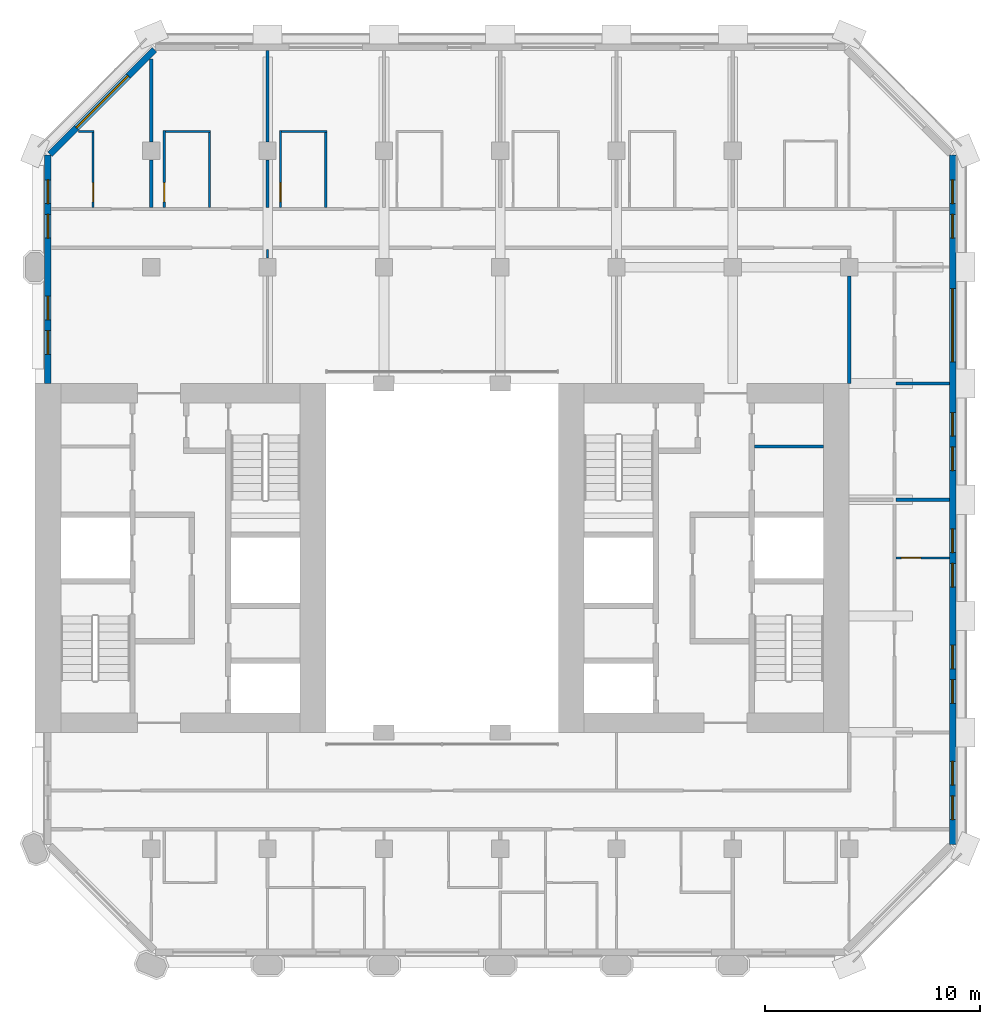
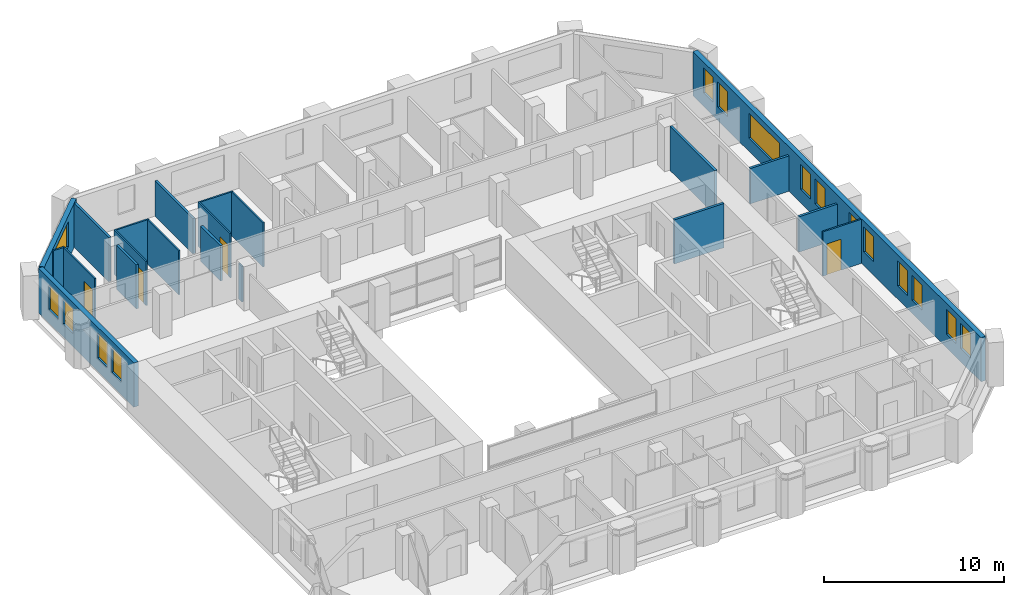
# One storey, part 7 of 12: 21 walls, 16 windows, 4 doors, 20 openings.
"""IFC4 building model written with IfcOpenShell, lengths in metres."""

from ifc_helpers import new_model, si_unit, direction, frame, frame_2d, origin, place, context, subcontext, project, spatial, rectangle, extrude, material, layer, layer_set, type_object, element, fill, save


model = new_model("IFC4")

# Units and contexts
model_context = context("Model", 3, precision=1e-05, world=origin(), true_north=direction((0.0, 1.0)))
body_context = subcontext(model_context, "Body", "Model", "MODEL_VIEW")
ifc_project = project(units=[si_unit("LENGTHUNIT", "METRE"), si_unit("AREAUNIT", "SQUARE_METRE"), si_unit("VOLUMEUNIT", "CUBIC_METRE"), si_unit("PLANEANGLEUNIT", "RADIAN"), si_unit("MASSUNIT", "GRAM", prefix="KILO")], contexts=[model_context])

# Site, building, storey
site_placement = place(None, origin())
site = spatial("IfcSite", under=ifc_project, at=site_placement, CompositionType="ELEMENT")
building_placement = place(site_placement, origin())
building = spatial("IfcBuilding", under=site, at=building_placement, Name="Tabaq Tower and Sports Hall", CompositionType="ELEMENT")
storey_placement = place(building_placement, frame((0.0, 0.0, 187.300048828125)))
storey = spatial("IfcBuildingStorey", under=building, at=storey_placement, Name="L45", CompositionType="ELEMENT", Elevation=187.300048828125)

# Walls
ifc_material_1 = material(Name="Blockwork", Category="masonry")
ifc_layer_1 = layer(ifc_material_1, 0.14990234375)
ifc_layer_set_1 = layer_set([ifc_layer_1], Name="Core room partition 150 Blockwork")
wall_type_1 = type_object("IfcWallType", Name="Core room partition 150 Blockwork", PredefinedType="PARTITIONING", material=ifc_layer_set_1)
wall_1_placement = place(storey_placement, frame((38.800048828125, 29.469970703125, 0.0), z_axis=(0.0, 0.0, 1.0), x_axis=(1.0, 0.0, 0.0)))
element("IfcWall", 1, at=wall_1_placement, inside=storey, type_object=wall_type_1, Name="Core room partition E L45", PredefinedType="PARTITIONING", context=body_context, shape_type="SweptSolid", body=[
    extrude(rectangle(XDim=3.199951171875, YDim=0.14990234375, at=frame_2d((1.60009765625, 0.0))), origin(), (0.0, 0.0, 1.0), 3.0),
])
ifc_material_2 = material(Name="Gypsum board on steel studs", Category="steel")
ifc_layer_2 = layer(ifc_material_2, 0.10009765625)
ifc_layer_set_2 = layer_set([ifc_layer_2], Name="Partition 100 Gypsum board")
wall_type_2 = type_object("IfcWallType", Name="Partition 100 Gypsum board", PredefinedType="PARTITIONING", material=ifc_layer_set_2)
wall_2_placement = place(storey_placement, frame((7.412109375, 44.10009765625, 0.0), z_axis=(0.0, 0.0, 1.0), x_axis=(1.0, 0.0, 0.0)))
element("IfcWall", 2, at=wall_2_placement, inside=storey, type_object=wall_type_2, Name="Partition wall L45", PredefinedType="PARTITIONING", context=body_context, shape_type="SweptSolid", body=[
    extrude(rectangle(XDim=0.73779296875, YDim=0.10009765625, at=frame_2d((0.368896484375, 0.0))), origin(), (0.0, 0.0, 1.0), 3.0),
])

# Wall, opening, door
wall_3_placement = place(storey_placement, frame((8.10009765625, 44.050048828125, 0.0), z_axis=(0.0, 0.0, 1.0), x_axis=(0.0, -1.0, 0.0)))
wall_3 = element("IfcWall", 3, at=wall_3_placement, inside=storey, type_object=wall_type_2, Name="Partition wall L45", PredefinedType="PARTITIONING", context=body_context, shape_type="SweptSolid", body=[
    extrude(rectangle(XDim=3.47509765625, YDim=0.10009765625, at=frame_2d((1.737548828125, 0.0))), origin(), (0.0, 0.0, 1.0), 3.0),
])
opening_1_placement = place(wall_3_placement, frame((2.324951171875, 0.0, 0.0)))
opening_1 = element("IfcOpeningElement", 4, at=opening_1_placement, cuts=wall_3, Name="Opening L45-002", PredefinedType="OPENING", context=body_context, shape_type="SweptSolid", body=[
    extrude(rectangle(XDim=0.89990234375, YDim=2.10009765625, at=frame_2d((0.449951171875, 1.050048828125))), frame((0.0, 0.050048828125, 0.0), z_axis=(0.0, -1.0, 0.0), x_axis=(1.0, 0.0, 0.0)), (0.0, 0.0, 1.0), 0.10009765625),
])
ifc_material_3 = material(Name="Timber leaf in steel frame", Category="steel")
door_type_1 = type_object("IfcDoorType", Name="Internal door 900 right hand", OperationType="SINGLE_SWING_RIGHT", PredefinedType="DOOR", material=ifc_material_3)
door_1_placement = place(opening_1_placement, origin())
door_1 = element("IfcDoor", 5, at=door_1_placement, inside=storey, type_object=door_type_1, Name="Internal door L45-002", OperationType="SINGLE_SWING_RIGHT", OverallHeight=2.10009765625, OverallWidth=0.89990234375, PredefinedType="DOOR", context=body_context, shape_type="SweptSolid", body=[
    extrude(rectangle(XDim=0.89990234375, YDim=2.10009765625, at=frame_2d((0.449951171875, 1.050048828125))), frame((0.0, 0.02490234375, 0.0), z_axis=(0.0, -1.0, 0.0), x_axis=(1.0, 0.0, 0.0)), (0.0, 0.0, 1.0), 0.050048828125),
])
fill(opening_1, door_1)

wall_4_placement = place(storey_placement, frame((11.39990234375, 40.574951171875, 0.0), z_axis=(0.0, 0.0, 1.0), x_axis=(0.0, 1.0, 0.0)))
wall_4 = element("IfcWall", 6, at=wall_4_placement, inside=storey, type_object=wall_type_2, Name="Partition wall L45", PredefinedType="PARTITIONING", context=body_context, shape_type="SweptSolid", body=[
    extrude(rectangle(XDim=3.574951171875, YDim=0.10009765625, at=frame_2d((1.78759765625, 0.0))), origin(), (0.0, 0.0, 1.0), 3.0),
])
opening_2_placement = place(wall_4_placement, frame((0.25, 0.0, 0.0)))
opening_2 = element("IfcOpeningElement", 7, at=opening_2_placement, cuts=wall_4, Name="Opening L45-003", PredefinedType="OPENING", context=body_context, shape_type="SweptSolid", body=[
    extrude(rectangle(XDim=0.89990234375, YDim=2.10009765625, at=frame_2d((0.449951171875, 1.050048828125))), frame((0.0, 0.050048828125, 0.0), z_axis=(0.0, -1.0, 0.0), x_axis=(1.0, 0.0, 0.0)), (0.0, 0.0, 1.0), 0.10009765625),
])
door_2_placement = place(opening_2_placement, origin())
door_2 = element("IfcDoor", 8, at=door_2_placement, inside=storey, type_object=door_type_1, Name="Internal door L45-003", OperationType="SINGLE_SWING_RIGHT", OverallHeight=2.10009765625, OverallWidth=0.89990234375, PredefinedType="DOOR", context=body_context, shape_type="SweptSolid", body=[
    extrude(rectangle(XDim=0.89990234375, YDim=2.10009765625, at=frame_2d((0.449951171875, 1.050048828125))), frame((0.0, 0.02490234375, 0.0), z_axis=(0.0, -1.0, 0.0), x_axis=(1.0, 0.0, 0.0)), (0.0, 0.0, 1.0), 0.050048828125),
])
fill(opening_2, door_2)

# Walls
wall_5_placement = place(storey_placement, frame((11.449951171875, 44.10009765625, 0.0), z_axis=(0.0, 0.0, 1.0), x_axis=(1.0, 0.0, 0.0)))
element("IfcWall", 9, at=wall_5_placement, inside=storey, type_object=wall_type_2, Name="Partition wall L45", PredefinedType="PARTITIONING", context=body_context, shape_type="SweptSolid", body=[
    extrude(rectangle(XDim=2.10009765625, YDim=0.10009765625, at=frame_2d((1.050048828125, 0.0))), origin(), (0.0, 0.0, 1.0), 3.0),
])
wall_6_placement = place(storey_placement, frame((13.5, 44.050048828125, 0.0), z_axis=(0.0, 0.0, 1.0), x_axis=(0.0, -1.0, 0.0)))
element("IfcWall", 10, at=wall_6_placement, inside=storey, type_object=wall_type_2, Name="Partition wall L45", PredefinedType="PARTITIONING", context=body_context, shape_type="SweptSolid", body=[
    extrude(rectangle(XDim=3.47509765625, YDim=0.10009765625, at=frame_2d((1.737548828125, 0.0))), origin(), (0.0, 0.0, 1.0), 3.0),
])

# Wall, opening, door
wall_7_placement = place(storey_placement, frame((16.800048828125, 40.574951171875, 0.0), z_axis=(0.0, 0.0, 1.0), x_axis=(0.0, 1.0, 0.0)))
wall_7 = element("IfcWall", 11, at=wall_7_placement, inside=storey, type_object=wall_type_2, Name="Partition wall L45", PredefinedType="PARTITIONING", context=body_context, shape_type="SweptSolid", body=[
    extrude(rectangle(XDim=3.574951171875, YDim=0.10009765625, at=frame_2d((1.78759765625, 0.0))), origin(), (0.0, 0.0, 1.0), 3.0),
])
opening_3_placement = place(wall_7_placement, frame((0.25, 0.0, 0.0)))
opening_3 = element("IfcOpeningElement", 12, at=opening_3_placement, cuts=wall_7, Name="Opening L45-004", PredefinedType="OPENING", context=body_context, shape_type="SweptSolid", body=[
    extrude(rectangle(XDim=0.89990234375, YDim=2.10009765625, at=frame_2d((0.449951171875, 1.050048828125))), frame((0.0, 0.050048828125, 0.0), z_axis=(0.0, -1.0, 0.0), x_axis=(1.0, 0.0, 0.0)), (0.0, 0.0, 1.0), 0.10009765625),
])
ifc_material_4 = material(Name="Timber leaf in steel frame", Category="steel")
door_type_2 = type_object("IfcDoorType", Name="Internal door 900 left hand", OperationType="SINGLE_SWING_LEFT", PredefinedType="DOOR", material=ifc_material_4)
door_3_placement = place(opening_3_placement, origin())
door_3 = element("IfcDoor", 13, at=door_3_placement, inside=storey, type_object=door_type_2, Name="Internal door L45-004", OperationType="SINGLE_SWING_LEFT", OverallHeight=2.10009765625, OverallWidth=0.89990234375, PredefinedType="DOOR", context=body_context, shape_type="SweptSolid", body=[
    extrude(rectangle(XDim=0.89990234375, YDim=2.10009765625, at=frame_2d((0.449951171875, 1.050048828125))), frame((0.0, 0.02490234375, 0.0), z_axis=(0.0, -1.0, 0.0), x_axis=(1.0, 0.0, 0.0)), (0.0, 0.0, 1.0), 0.050048828125),
])
fill(opening_3, door_3)

# Walls
wall_8_placement = place(storey_placement, frame((16.85009765625, 44.10009765625, 0.0), z_axis=(0.0, 0.0, 1.0), x_axis=(1.0, 0.0, 0.0)))
element("IfcWall", 14, at=wall_8_placement, inside=storey, type_object=wall_type_2, Name="Partition wall L45", PredefinedType="PARTITIONING", context=body_context, shape_type="SweptSolid", body=[
    extrude(rectangle(XDim=2.099853515625, YDim=0.10009765625, at=frame_2d((1.0498046875, 0.0))), origin(), (0.0, 0.0, 1.0), 3.0),
])
wall_9_placement = place(storey_placement, frame((18.89990234375, 44.050048828125, 0.0), z_axis=(0.0, 0.0, 1.0), x_axis=(0.0, -1.0, 0.0)))
element("IfcWall", 15, at=wall_9_placement, inside=storey, type_object=wall_type_2, Name="Partition wall L45", PredefinedType="PARTITIONING", context=body_context, shape_type="SweptSolid", body=[
    extrude(rectangle(XDim=3.47509765625, YDim=0.10009765625, at=frame_2d((1.737548828125, 0.0))), origin(), (0.0, 0.0, 1.0), 3.0),
])
wall_10_placement = place(storey_placement, frame((16.199951171875, 38.625, 0.0), z_axis=(0.0, 0.0, 1.0), x_axis=(0.0, -1.0, 0.0)))
element("IfcWall", 16, at=wall_10_placement, inside=storey, type_object=wall_type_2, Name="Partition wall L45", PredefinedType="PARTITIONING", context=body_context, shape_type="SweptSolid", body=[
    extrude(rectangle(XDim=0.405029296875, YDim=0.10009765625, at=frame_2d((0.20263671875, 0.0))), origin(), (0.0, 0.0, 1.0), 2.39990234375),
])

# Wall, opening, door
wall_11_placement = place(storey_placement, frame((47.84912109375, 24.300048828125, 0.0), z_axis=(0.0, 0.0, 1.0), x_axis=(-1.0, 0.0, 0.0)))
wall_11 = element("IfcWall", 17, at=wall_11_placement, inside=storey, type_object=wall_type_2, Name="Partition wall L45", PredefinedType="PARTITIONING", context=body_context, shape_type="SweptSolid", body=[
    extrude(rectangle(XDim=2.47412109375, YDim=0.10009765625, at=frame_2d((1.237060546875, 0.0))), origin(), (0.0, 0.0, 1.0), 3.0),
])
opening_4_placement = place(wall_11_placement, frame((1.323974609375, 0.0, 0.0)))
opening_4 = element("IfcOpeningElement", 18, at=opening_4_placement, cuts=wall_11, Name="Opening L45-021", PredefinedType="OPENING", context=body_context, shape_type="SweptSolid", body=[
    extrude(rectangle(XDim=0.89990234375, YDim=2.10009765625, at=frame_2d((0.449951171875, 1.050048828125))), frame((0.0, 0.050048828125, 0.0), z_axis=(0.0, -1.0, 0.0), x_axis=(1.0, 0.0, 0.0)), (0.0, 0.0, 1.0), 0.10009765625),
])
door_4_placement = place(opening_4_placement, origin())
door_4 = element("IfcDoor", 19, at=door_4_placement, inside=storey, type_object=door_type_2, Name="Internal door L45-021", OperationType="SINGLE_SWING_LEFT", OverallHeight=2.10009765625, OverallWidth=0.89990234375, PredefinedType="DOOR", context=body_context, shape_type="SweptSolid", body=[
    extrude(rectangle(XDim=0.89990234375, YDim=2.10009765625, at=frame_2d((0.449951171875, 1.050048828125))), frame((0.0, 0.02490234375, 0.0), z_axis=(0.0, -1.0, 0.0), x_axis=(1.0, 0.0, 0.0)), (0.0, 0.0, 1.0), 0.050048828125),
])
fill(opening_4, door_4)

# Walls
ifc_material_5 = material(Name="Blockwork", Category="masonry")
ifc_layer_3 = layer(ifc_material_5, 0.14990234375)
ifc_layer_set_3 = layer_set([ifc_layer_3], Name="Separating wall 150 Blockwork")
wall_type_3 = type_object("IfcWallType", Name="Separating wall 150 Blockwork", PredefinedType="PARTITIONING", material=ifc_layer_set_3)
wall_12_placement = place(storey_placement, frame((45.375, 32.39990234375, 0.0), z_axis=(0.0, 0.0, 1.0), x_axis=(1.0, 0.0, 0.0)))
element("IfcWall", 20, at=wall_12_placement, inside=storey, type_object=wall_type_3, Name="Separating wall L45", PredefinedType="PARTITIONING", context=body_context, shape_type="SweptSolid", body=[
    extrude(rectangle(XDim=2.47412109375, YDim=0.14990234375, at=frame_2d((1.237060546875, 0.0))), origin(), (0.0, 0.0, 1.0), 2.39990234375),
])
wall_13_placement = place(storey_placement, frame((10.800048828125, 40.574951171875, 0.0), z_axis=(0.0, 0.0, 1.0), x_axis=(0.0, 1.0, 0.0)))
element("IfcWall", 21, at=wall_13_placement, inside=storey, type_object=wall_type_3, Name="Separating wall L45", PredefinedType="PARTITIONING", context=body_context, shape_type="SweptSolid", body=[
    extrude(rectangle(XDim=2.205078125, YDim=0.14990234375, at=frame_2d((1.1025390625, 0.0))), origin(), (0.0, 0.0, 1.0), 3.0),
])
wall_14_placement = place(storey_placement, frame((10.800048828125, 43.6201171875, 0.0), z_axis=(0.0, 0.0, 1.0), x_axis=(0.0, 1.0, 0.0)))
element("IfcWall", 22, at=wall_14_placement, inside=storey, type_object=wall_type_3, Name="Separating wall L45", PredefinedType="PARTITIONING", context=body_context, shape_type="SweptSolid", body=[
    extrude(rectangle(XDim=3.8427734375, YDim=0.14990234375, at=frame_2d((1.92138671875, 0.0))), origin(), (0.0, 0.0, 1.0), 3.0),
])
wall_15_placement = place(storey_placement, frame((16.199951171875, 40.574951171875, 0.0), z_axis=(0.0, 0.0, 1.0), x_axis=(0.0, 1.0, 0.0)))
element("IfcWall", 23, at=wall_15_placement, inside=storey, type_object=wall_type_3, Name="Separating wall L45", PredefinedType="PARTITIONING", context=body_context, shape_type="SweptSolid", body=[
    extrude(rectangle(XDim=2.205078125, YDim=0.14990234375, at=frame_2d((1.1025390625, 0.0))), origin(), (0.0, 0.0, 1.0), 2.39990234375),
])
wall_16_placement = place(storey_placement, frame((16.199951171875, 43.6201171875, 0.0), z_axis=(0.0, 0.0, 1.0), x_axis=(0.0, 1.0, 0.0)))
element("IfcWall", 24, at=wall_16_placement, inside=storey, type_object=wall_type_3, Name="Separating wall L45", PredefinedType="PARTITIONING", context=body_context, shape_type="SweptSolid", body=[
    extrude(rectangle(XDim=4.22900390625, YDim=0.14990234375, at=frame_2d((2.114501953125, 0.0))), origin(), (0.0, 0.0, 1.0), 2.39990234375),
])
wall_17_placement = place(storey_placement, frame((45.375, 27.0, 0.0), z_axis=(0.0, 0.0, 1.0), x_axis=(1.0, 0.0, 0.0)))
element("IfcWall", 25, at=wall_17_placement, inside=storey, type_object=wall_type_3, Name="Separating wall L45", PredefinedType="PARTITIONING", context=body_context, shape_type="SweptSolid", body=[
    extrude(rectangle(XDim=2.47412109375, YDim=0.14990234375, at=frame_2d((1.237060546875, 0.0))), origin(), (0.0, 0.0, 1.0), 2.39990234375),
])
wall_18_placement = place(storey_placement, frame((43.199951171875, 32.39990234375, 0.0), z_axis=(0.0, 0.0, 1.0), x_axis=(0.0, 1.0, 0.0)))
element("IfcWall", 26, at=wall_18_placement, inside=storey, type_object=wall_type_3, Name="Separating wall L45", PredefinedType="PARTITIONING", context=body_context, shape_type="SweptSolid", body=[
    extrude(rectangle(XDim=4.97998046875, YDim=0.14990234375, at=frame_2d((2.489990234375, 0.0))), origin(), (0.0, 0.0, 1.0), 3.0),
])

# Wall, openings, windows
ifc_material_6 = material(Name="White precast concrete C60/75", Category="concrete")
ifc_layer_4 = layer(ifc_material_6, 0.300048828125)
ifc_layer_set_4 = layer_set([ifc_layer_4], Name="White precast concrete C60/75 external wall 300")
wall_type_4 = type_object("IfcWallType", Name="White precast concrete C60/75 external wall 300", PredefinedType="SOLIDWALL", material=ifc_layer_set_4)
wall_19_placement = place(storey_placement, frame((48.0, 10.986328125, 0.0), z_axis=(0.0, 0.0, 1.0), x_axis=(0.0, 1.0, 0.0)))
wall_19 = element("IfcWall", 27, at=wall_19_placement, inside=storey, type_object=wall_type_4, Name="External Wall L45 E", PredefinedType="SOLIDWALL", context=body_context, shape_type="SweptSolid", body=[
    extrude(rectangle(XDim=32.02734375, YDim=0.300048828125, at=frame_2d((16.013671875, 0.0))), origin(), (0.0, 0.0, 1.0), 3.0),
])
opening_5_placement = place(wall_19_placement, frame((1.16357421875, 0.0, 0.89990234375)))
opening_5 = element("IfcOpeningElement", 28, at=opening_5_placement, cuts=wall_19, Name="Opening W1B", PredefinedType="OPENING", context=body_context, shape_type="SweptSolid", body=[
    extrude(rectangle(XDim=1.10009765625, YDim=1.699951171875, at=frame_2d((0.550048828125, 0.85009765625))), frame((0.0, 0.16015625, 0.0), z_axis=(0.0, -1.0, 0.0), x_axis=(1.0, 0.0, 0.0)), (0.0, 0.0, 1.0), 0.320068359375),
])
opening_6_placement = place(wall_19_placement, frame((2.763671875, 0.0, 0.89990234375)))
opening_6 = element("IfcOpeningElement", 29, at=opening_6_placement, cuts=wall_19, Name="Opening W1B", PredefinedType="OPENING", context=body_context, shape_type="SweptSolid", body=[
    extrude(rectangle(XDim=1.10009765625, YDim=1.699951171875, at=frame_2d((0.550048828125, 0.85009765625))), frame((0.0, 0.16015625, 0.0), z_axis=(0.0, -1.0, 0.0), x_axis=(1.0, 0.0, 0.0)), (0.0, 0.0, 1.0), 0.320068359375),
])
opening_7_placement = place(wall_19_placement, frame((6.563720703125, 0.0, 0.89990234375)))
opening_7 = element("IfcOpeningElement", 30, at=opening_7_placement, cuts=wall_19, Name="Opening W1B", PredefinedType="OPENING", context=body_context, shape_type="SweptSolid", body=[
    extrude(rectangle(XDim=1.10009765625, YDim=1.699951171875, at=frame_2d((0.550048828125, 0.85009765625))), frame((0.0, 0.16015625, 0.0), z_axis=(0.0, -1.0, 0.0), x_axis=(1.0, 0.0, 0.0)), (0.0, 0.0, 1.0), 0.320068359375),
])
opening_8_placement = place(wall_19_placement, frame((8.16357421875, 0.0, 0.89990234375)))
opening_8 = element("IfcOpeningElement", 31, at=opening_8_placement, cuts=wall_19, Name="Opening W1B", PredefinedType="OPENING", context=body_context, shape_type="SweptSolid", body=[
    extrude(rectangle(XDim=1.10009765625, YDim=1.699951171875, at=frame_2d((0.550048828125, 0.85009765625))), frame((0.0, 0.16015625, 0.0), z_axis=(0.0, -1.0, 0.0), x_axis=(1.0, 0.0, 0.0)), (0.0, 0.0, 1.0), 0.320068359375),
])
opening_9_placement = place(wall_19_placement, frame((11.963623046875, 0.0, 0.89990234375)))
opening_9 = element("IfcOpeningElement", 32, at=opening_9_placement, cuts=wall_19, Name="Opening W1B", PredefinedType="OPENING", context=body_context, shape_type="SweptSolid", body=[
    extrude(rectangle(XDim=1.10009765625, YDim=1.699951171875, at=frame_2d((0.550048828125, 0.85009765625))), frame((0.0, 0.16015625, 0.0), z_axis=(0.0, -1.0, 0.0), x_axis=(1.0, 0.0, 0.0)), (0.0, 0.0, 1.0), 0.320068359375),
])
opening_10_placement = place(wall_19_placement, frame((13.563720703125, 0.0, 0.89990234375)))
opening_10 = element("IfcOpeningElement", 33, at=opening_10_placement, cuts=wall_19, Name="Opening W1B", PredefinedType="OPENING", context=body_context, shape_type="SweptSolid", body=[
    extrude(rectangle(XDim=1.10009765625, YDim=1.699951171875, at=frame_2d((0.550048828125, 0.85009765625))), frame((0.0, 0.16015625, 0.0), z_axis=(0.0, -1.0, 0.0), x_axis=(1.0, 0.0, 0.0)), (0.0, 0.0, 1.0), 0.320068359375),
])
opening_11_placement = place(wall_19_placement, frame((17.363525390625, 0.0, 0.89990234375)))
opening_11 = element("IfcOpeningElement", 34, at=opening_11_placement, cuts=wall_19, Name="Opening W1B", PredefinedType="OPENING", context=body_context, shape_type="SweptSolid", body=[
    extrude(rectangle(XDim=1.10009765625, YDim=1.699951171875, at=frame_2d((0.550048828125, 0.85009765625))), frame((0.0, 0.16015625, 0.0), z_axis=(0.0, -1.0, 0.0), x_axis=(1.0, 0.0, 0.0)), (0.0, 0.0, 1.0), 0.320068359375),
])
opening_12_placement = place(wall_19_placement, frame((18.963623046875, 0.0, 0.89990234375)))
opening_12 = element("IfcOpeningElement", 35, at=opening_12_placement, cuts=wall_19, Name="Opening W1B", PredefinedType="OPENING", context=body_context, shape_type="SweptSolid", body=[
    extrude(rectangle(XDim=1.10009765625, YDim=1.699951171875, at=frame_2d((0.550048828125, 0.85009765625))), frame((0.0, 0.16015625, 0.0), z_axis=(0.0, -1.0, 0.0), x_axis=(1.0, 0.0, 0.0)), (0.0, 0.0, 1.0), 0.320068359375),
])
opening_13_placement = place(wall_19_placement, frame((22.41357421875, 0.0, 0.89990234375)))
opening_13 = element("IfcOpeningElement", 36, at=opening_13_placement, cuts=wall_19, Name="Opening W1A", PredefinedType="OPENING", context=body_context, shape_type="SweptSolid", body=[
    extrude(rectangle(XDim=3.39990234375, YDim=1.699951171875, at=frame_2d((1.699951171875, 0.85009765625))), frame((0.0, 0.16015625, 0.0), z_axis=(0.0, -1.0, 0.0), x_axis=(1.0, 0.0, 0.0)), (0.0, 0.0, 1.0), 0.320068359375),
])
opening_14_placement = place(wall_19_placement, frame((28.16357421875, 0.0, 0.89990234375)))
opening_14 = element("IfcOpeningElement", 37, at=opening_14_placement, cuts=wall_19, Name="Opening W1B", PredefinedType="OPENING", context=body_context, shape_type="SweptSolid", body=[
    extrude(rectangle(XDim=1.10009765625, YDim=1.699951171875, at=frame_2d((0.550048828125, 0.85009765625))), frame((0.0, 0.16015625, 0.0), z_axis=(0.0, -1.0, 0.0), x_axis=(1.0, 0.0, 0.0)), (0.0, 0.0, 1.0), 0.320068359375),
])
opening_15_placement = place(wall_19_placement, frame((29.763671875, 0.0, 0.89990234375)))
opening_15 = element("IfcOpeningElement", 38, at=opening_15_placement, cuts=wall_19, Name="Opening W1B", PredefinedType="OPENING", context=body_context, shape_type="SweptSolid", body=[
    extrude(rectangle(XDim=1.10009765625, YDim=1.699951171875, at=frame_2d((0.550048828125, 0.85009765625))), frame((0.0, 0.16015625, 0.0), z_axis=(0.0, -1.0, 0.0), x_axis=(1.0, 0.0, 0.0)), (0.0, 0.0, 1.0), 0.320068359375),
])
ifc_material_7 = material(Name="Aluminium framed clear glazing", Category="aluminium")
window_type_1 = type_object("IfcWindowType", Name="Window W1A", PartitioningType="SINGLE_PANEL", PredefinedType="WINDOW", material=ifc_material_7)
window_1_placement = place(opening_13_placement, origin())
window_1 = element("IfcWindow", 39, at=window_1_placement, inside=storey, type_object=window_type_1, Name="Window W1A L45", OverallHeight=1.699951171875, OverallWidth=3.39990234375, PartitioningType="SINGLE_PANEL", PredefinedType="WINDOW", context=body_context, shape_type="SweptSolid", body=[
    extrude(rectangle(XDim=3.39990234375, YDim=1.699951171875, at=frame_2d((1.699951171875, 0.85009765625))), frame((0.0, 0.030029296875, 0.0), z_axis=(0.0, -1.0, 0.0), x_axis=(1.0, 0.0, 0.0)), (0.0, 0.0, 1.0), 0.06005859375),
])
fill(opening_13, window_1)
ifc_material_8 = material(Name="Aluminium framed clear glazing", Category="aluminium")
window_type_2 = type_object("IfcWindowType", Name="Window W1B", PartitioningType="SINGLE_PANEL", PredefinedType="WINDOW", material=ifc_material_8)
window_2_placement = place(opening_5_placement, origin())
window_2 = element("IfcWindow", 40, at=window_2_placement, inside=storey, type_object=window_type_2, Name="Window W1B L45", OverallHeight=1.699951171875, OverallWidth=1.10009765625, PartitioningType="SINGLE_PANEL", PredefinedType="WINDOW", context=body_context, shape_type="SweptSolid", body=[
    extrude(rectangle(XDim=1.10009765625, YDim=1.699951171875, at=frame_2d((0.550048828125, 0.85009765625))), frame((0.0, 0.030029296875, 0.0), z_axis=(0.0, -1.0, 0.0), x_axis=(1.0, 0.0, 0.0)), (0.0, 0.0, 1.0), 0.06005859375),
])
fill(opening_5, window_2)
window_3_placement = place(opening_6_placement, origin())
window_3 = element("IfcWindow", 41, at=window_3_placement, inside=storey, type_object=window_type_2, Name="Window W1B L45", OverallHeight=1.699951171875, OverallWidth=1.10009765625, PartitioningType="SINGLE_PANEL", PredefinedType="WINDOW", context=body_context, shape_type="SweptSolid", body=[
    extrude(rectangle(XDim=1.10009765625, YDim=1.699951171875, at=frame_2d((0.550048828125, 0.85009765625))), frame((0.0, 0.030029296875, 0.0), z_axis=(0.0, -1.0, 0.0), x_axis=(1.0, 0.0, 0.0)), (0.0, 0.0, 1.0), 0.06005859375),
])
fill(opening_6, window_3)
window_4_placement = place(opening_7_placement, origin())
window_4 = element("IfcWindow", 42, at=window_4_placement, inside=storey, type_object=window_type_2, Name="Window W1B L45", OverallHeight=1.699951171875, OverallWidth=1.10009765625, PartitioningType="SINGLE_PANEL", PredefinedType="WINDOW", context=body_context, shape_type="SweptSolid", body=[
    extrude(rectangle(XDim=1.10009765625, YDim=1.699951171875, at=frame_2d((0.550048828125, 0.85009765625))), frame((0.0, 0.030029296875, 0.0), z_axis=(0.0, -1.0, 0.0), x_axis=(1.0, 0.0, 0.0)), (0.0, 0.0, 1.0), 0.06005859375),
])
fill(opening_7, window_4)
window_5_placement = place(opening_8_placement, origin())
window_5 = element("IfcWindow", 43, at=window_5_placement, inside=storey, type_object=window_type_2, Name="Window W1B L45", OverallHeight=1.699951171875, OverallWidth=1.10009765625, PartitioningType="SINGLE_PANEL", PredefinedType="WINDOW", context=body_context, shape_type="SweptSolid", body=[
    extrude(rectangle(XDim=1.10009765625, YDim=1.699951171875, at=frame_2d((0.550048828125, 0.85009765625))), frame((0.0, 0.030029296875, 0.0), z_axis=(0.0, -1.0, 0.0), x_axis=(1.0, 0.0, 0.0)), (0.0, 0.0, 1.0), 0.06005859375),
])
fill(opening_8, window_5)
window_6_placement = place(opening_9_placement, origin())
window_6 = element("IfcWindow", 44, at=window_6_placement, inside=storey, type_object=window_type_2, Name="Window W1B L45", OverallHeight=1.699951171875, OverallWidth=1.10009765625, PartitioningType="SINGLE_PANEL", PredefinedType="WINDOW", context=body_context, shape_type="SweptSolid", body=[
    extrude(rectangle(XDim=1.10009765625, YDim=1.699951171875, at=frame_2d((0.550048828125, 0.85009765625))), frame((0.0, 0.030029296875, 0.0), z_axis=(0.0, -1.0, 0.0), x_axis=(1.0, 0.0, 0.0)), (0.0, 0.0, 1.0), 0.06005859375),
])
fill(opening_9, window_6)
window_7_placement = place(opening_10_placement, origin())
window_7 = element("IfcWindow", 45, at=window_7_placement, inside=storey, type_object=window_type_2, Name="Window W1B L45", OverallHeight=1.699951171875, OverallWidth=1.10009765625, PartitioningType="SINGLE_PANEL", PredefinedType="WINDOW", context=body_context, shape_type="SweptSolid", body=[
    extrude(rectangle(XDim=1.10009765625, YDim=1.699951171875, at=frame_2d((0.550048828125, 0.85009765625))), frame((0.0, 0.030029296875, 0.0), z_axis=(0.0, -1.0, 0.0), x_axis=(1.0, 0.0, 0.0)), (0.0, 0.0, 1.0), 0.06005859375),
])
fill(opening_10, window_7)
window_8_placement = place(opening_11_placement, origin())
window_8 = element("IfcWindow", 46, at=window_8_placement, inside=storey, type_object=window_type_2, Name="Window W1B L45", OverallHeight=1.699951171875, OverallWidth=1.10009765625, PartitioningType="SINGLE_PANEL", PredefinedType="WINDOW", context=body_context, shape_type="SweptSolid", body=[
    extrude(rectangle(XDim=1.10009765625, YDim=1.699951171875, at=frame_2d((0.550048828125, 0.85009765625))), frame((0.0, 0.030029296875, 0.0), z_axis=(0.0, -1.0, 0.0), x_axis=(1.0, 0.0, 0.0)), (0.0, 0.0, 1.0), 0.06005859375),
])
fill(opening_11, window_8)
window_9_placement = place(opening_12_placement, origin())
window_9 = element("IfcWindow", 47, at=window_9_placement, inside=storey, type_object=window_type_2, Name="Window W1B L45", OverallHeight=1.699951171875, OverallWidth=1.10009765625, PartitioningType="SINGLE_PANEL", PredefinedType="WINDOW", context=body_context, shape_type="SweptSolid", body=[
    extrude(rectangle(XDim=1.10009765625, YDim=1.699951171875, at=frame_2d((0.550048828125, 0.85009765625))), frame((0.0, 0.030029296875, 0.0), z_axis=(0.0, -1.0, 0.0), x_axis=(1.0, 0.0, 0.0)), (0.0, 0.0, 1.0), 0.06005859375),
])
fill(opening_12, window_9)
window_10_placement = place(opening_14_placement, origin())
window_10 = element("IfcWindow", 48, at=window_10_placement, inside=storey, type_object=window_type_2, Name="Window W1B L45", OverallHeight=1.699951171875, OverallWidth=1.10009765625, PartitioningType="SINGLE_PANEL", PredefinedType="WINDOW", context=body_context, shape_type="SweptSolid", body=[
    extrude(rectangle(XDim=1.10009765625, YDim=1.699951171875, at=frame_2d((0.550048828125, 0.85009765625))), frame((0.0, 0.030029296875, 0.0), z_axis=(0.0, -1.0, 0.0), x_axis=(1.0, 0.0, 0.0)), (0.0, 0.0, 1.0), 0.06005859375),
])
fill(opening_14, window_10)
window_11_placement = place(opening_15_placement, origin())
window_11 = element("IfcWindow", 49, at=window_11_placement, inside=storey, type_object=window_type_2, Name="Window W1B L45", OverallHeight=1.699951171875, OverallWidth=1.10009765625, PartitioningType="SINGLE_PANEL", PredefinedType="WINDOW", context=body_context, shape_type="SweptSolid", body=[
    extrude(rectangle(XDim=1.10009765625, YDim=1.699951171875, at=frame_2d((0.550048828125, 0.85009765625))), frame((0.0, 0.030029296875, 0.0), z_axis=(0.0, -1.0, 0.0), x_axis=(1.0, 0.0, 0.0)), (0.0, 0.0, 1.0), 0.06005859375),
])
fill(opening_15, window_11)

# Wall, opening, window
wall_20_placement = place(storey_placement, frame((10.949462890625, 47.901123046875, 0.0), z_axis=(0.0, 0.0, 1.0), x_axis=(-0.707106781187, -0.707106781187, 0.0)))
wall_20 = element("IfcWall", 50, at=wall_20_placement, inside=storey, type_object=wall_type_4, Name="External Wall L45 NW", PredefinedType="SOLIDWALL", context=body_context, shape_type="SweptSolid", body=[
    extrude(rectangle(XDim=6.85986328125, YDim=0.300048828125, at=frame_2d((3.429931640625, 0.0))), origin(), (0.0, 0.0, 1.0), 3.0),
])
opening_16_placement = place(wall_20_placement, frame((1.729736328125, 0.0, 0.89990234375)))
opening_16 = element("IfcOpeningElement", 51, at=opening_16_placement, cuts=wall_20, Name="Opening W1A", PredefinedType="OPENING", context=body_context, shape_type="SweptSolid", body=[
    extrude(rectangle(XDim=3.39990234375, YDim=1.699951171875, at=frame_2d((1.699951171875, 0.85009765625))), frame((0.0, 0.16015625, 0.0), z_axis=(0.0, -1.0, 0.0), x_axis=(1.0, 0.0, 0.0)), (0.0, 0.0, 1.0), 0.320068359375),
])
window_12_placement = place(opening_16_placement, origin())
window_12 = element("IfcWindow", 52, at=window_12_placement, inside=storey, type_object=window_type_1, Name="Window W1A L45", OverallHeight=1.699951171875, OverallWidth=3.39990234375, PartitioningType="SINGLE_PANEL", PredefinedType="WINDOW", context=body_context, shape_type="SweptSolid", body=[
    extrude(rectangle(XDim=3.39990234375, YDim=1.699951171875, at=frame_2d((1.699951171875, 0.85009765625))), frame((0.0, 0.030029296875, 0.0), z_axis=(0.0, -1.0, 0.0), x_axis=(1.0, 0.0, 0.0)), (0.0, 0.0, 1.0), 0.06005859375),
])
fill(opening_16, window_12)

# Wall, openings, windows
wall_21_placement = place(storey_placement, frame((6.0, 43.013671875, 0.0), z_axis=(0.0, 0.0, 1.0), x_axis=(0.0, -1.0, 0.0)))
wall_21 = element("IfcWall", 53, at=wall_21_placement, inside=storey, type_object=wall_type_4, Name="External Wall L45 W", PredefinedType="SOLIDWALL", context=body_context, shape_type="SweptSolid", body=[
    extrude(rectangle(XDim=10.61376953125, YDim=0.300048828125, at=frame_2d((5.306884765625, 0.0))), origin(), (0.0, 0.0, 1.0), 3.0),
])
opening_17_placement = place(wall_21_placement, frame((1.16357421875, 0.0, 0.89990234375)))
opening_17 = element("IfcOpeningElement", 54, at=opening_17_placement, cuts=wall_21, Name="Opening W1B", PredefinedType="OPENING", context=body_context, shape_type="SweptSolid", body=[
    extrude(rectangle(XDim=1.10009765625, YDim=1.699951171875, at=frame_2d((0.550048828125, 0.85009765625))), frame((0.0, 0.16015625, 0.0), z_axis=(0.0, -1.0, 0.0), x_axis=(1.0, 0.0, 0.0)), (0.0, 0.0, 1.0), 0.320068359375),
])
opening_18_placement = place(wall_21_placement, frame((2.763671875, 0.0, 0.89990234375)))
opening_18 = element("IfcOpeningElement", 55, at=opening_18_placement, cuts=wall_21, Name="Opening W1B", PredefinedType="OPENING", context=body_context, shape_type="SweptSolid", body=[
    extrude(rectangle(XDim=1.10009765625, YDim=1.699951171875, at=frame_2d((0.550048828125, 0.85009765625))), frame((0.0, 0.16015625, 0.0), z_axis=(0.0, -1.0, 0.0), x_axis=(1.0, 0.0, 0.0)), (0.0, 0.0, 1.0), 0.320068359375),
])
opening_19_placement = place(wall_21_placement, frame((6.563720703125, 0.0, 0.89990234375)))
opening_19 = element("IfcOpeningElement", 56, at=opening_19_placement, cuts=wall_21, Name="Opening W1B", PredefinedType="OPENING", context=body_context, shape_type="SweptSolid", body=[
    extrude(rectangle(XDim=1.10009765625, YDim=1.699951171875, at=frame_2d((0.550048828125, 0.85009765625))), frame((0.0, 0.16015625, 0.0), z_axis=(0.0, -1.0, 0.0), x_axis=(1.0, 0.0, 0.0)), (0.0, 0.0, 1.0), 0.320068359375),
])
opening_20_placement = place(wall_21_placement, frame((8.16357421875, 0.0, 0.89990234375)))
opening_20 = element("IfcOpeningElement", 57, at=opening_20_placement, cuts=wall_21, Name="Opening W1B", PredefinedType="OPENING", context=body_context, shape_type="SweptSolid", body=[
    extrude(rectangle(XDim=1.10009765625, YDim=1.699951171875, at=frame_2d((0.550048828125, 0.85009765625))), frame((0.0, 0.16015625, 0.0), z_axis=(0.0, -1.0, 0.0), x_axis=(1.0, 0.0, 0.0)), (0.0, 0.0, 1.0), 0.320068359375),
])
window_13_placement = place(opening_17_placement, origin())
window_13 = element("IfcWindow", 58, at=window_13_placement, inside=storey, type_object=window_type_2, Name="Window W1B L45", OverallHeight=1.699951171875, OverallWidth=1.10009765625, PartitioningType="SINGLE_PANEL", PredefinedType="WINDOW", context=body_context, shape_type="SweptSolid", body=[
    extrude(rectangle(XDim=1.10009765625, YDim=1.699951171875, at=frame_2d((0.550048828125, 0.85009765625))), frame((0.0, 0.030029296875, 0.0), z_axis=(0.0, -1.0, 0.0), x_axis=(1.0, 0.0, 0.0)), (0.0, 0.0, 1.0), 0.06005859375),
])
fill(opening_17, window_13)
window_14_placement = place(opening_18_placement, origin())
window_14 = element("IfcWindow", 59, at=window_14_placement, inside=storey, type_object=window_type_2, Name="Window W1B L45", OverallHeight=1.699951171875, OverallWidth=1.10009765625, PartitioningType="SINGLE_PANEL", PredefinedType="WINDOW", context=body_context, shape_type="SweptSolid", body=[
    extrude(rectangle(XDim=1.10009765625, YDim=1.699951171875, at=frame_2d((0.550048828125, 0.85009765625))), frame((0.0, 0.030029296875, 0.0), z_axis=(0.0, -1.0, 0.0), x_axis=(1.0, 0.0, 0.0)), (0.0, 0.0, 1.0), 0.06005859375),
])
fill(opening_18, window_14)
window_15_placement = place(opening_19_placement, origin())
window_15 = element("IfcWindow", 60, at=window_15_placement, inside=storey, type_object=window_type_2, Name="Window W1B L45", OverallHeight=1.699951171875, OverallWidth=1.10009765625, PartitioningType="SINGLE_PANEL", PredefinedType="WINDOW", context=body_context, shape_type="SweptSolid", body=[
    extrude(rectangle(XDim=1.10009765625, YDim=1.699951171875, at=frame_2d((0.550048828125, 0.85009765625))), frame((0.0, 0.030029296875, 0.0), z_axis=(0.0, -1.0, 0.0), x_axis=(1.0, 0.0, 0.0)), (0.0, 0.0, 1.0), 0.06005859375),
])
fill(opening_19, window_15)
window_16_placement = place(opening_20_placement, origin())
window_16 = element("IfcWindow", 61, at=window_16_placement, inside=storey, type_object=window_type_2, Name="Window W1B L45", OverallHeight=1.699951171875, OverallWidth=1.10009765625, PartitioningType="SINGLE_PANEL", PredefinedType="WINDOW", context=body_context, shape_type="SweptSolid", body=[
    extrude(rectangle(XDim=1.10009765625, YDim=1.699951171875, at=frame_2d((0.550048828125, 0.85009765625))), frame((0.0, 0.030029296875, 0.0), z_axis=(0.0, -1.0, 0.0), x_axis=(1.0, 0.0, 0.0)), (0.0, 0.0, 1.0), 0.06005859375),
])
fill(opening_20, window_16)

save(model, "model.ifc")
